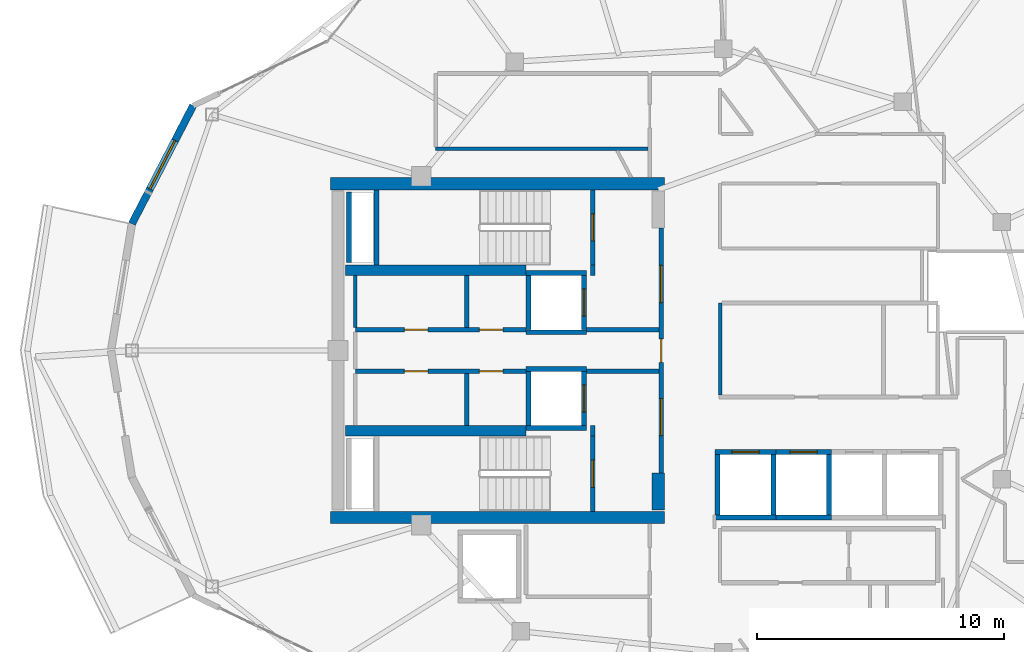
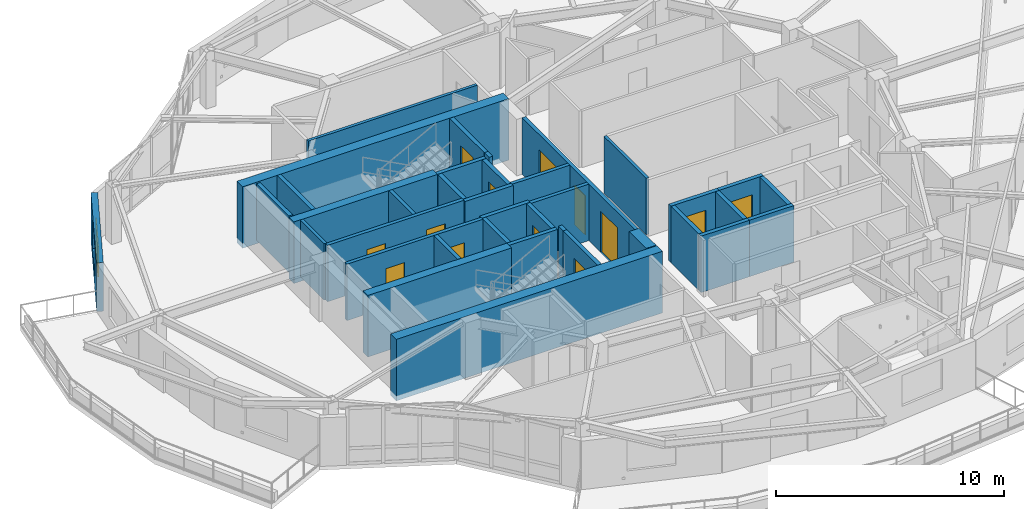
# One storey, part 8 of 19: 37 walls, 13 doors, 1 window, 14 openings.
"""IFC4 building model written with IfcOpenShell, lengths in metres."""

from ifc_helpers import new_model, si_unit, direction, frame, frame_2d, origin, place, context, subcontext, project, spatial, rectangle, extrude, material, layer, layer_set, type_object, element, fill, save


model = new_model("IFC4")

# Units and contexts
model_context = context("Model", 3, precision=1e-05, world=origin(), true_north=direction((0.0, 1.0)))
body_context = subcontext(model_context, "Body", "Model", "MODEL_VIEW")
ifc_project = project(units=[si_unit("LENGTHUNIT", "METRE"), si_unit("AREAUNIT", "SQUARE_METRE"), si_unit("VOLUMEUNIT", "CUBIC_METRE"), si_unit("PLANEANGLEUNIT", "RADIAN"), si_unit("MASSUNIT", "GRAM", prefix="KILO")], contexts=[model_context])

# Site, building, storey
site_placement = place(None, origin())
site = spatial("IfcSite", under=ifc_project, at=site_placement, CompositionType="ELEMENT")
building_placement = place(site_placement, origin())
building = spatial("IfcBuilding", under=site, at=building_placement, Name="Kolvaren Gate Tower and Convention Centre", CompositionType="ELEMENT")
storey_placement = place(building_placement, frame((0.0, 0.0, 212.89990234375)))
storey = spatial("IfcBuildingStorey", under=building, at=storey_placement, Name="L56", CompositionType="ELEMENT", Elevation=212.89990234375)

# Walls
ifc_material_1 = material(Name="Autoclaved Aerated Masonry Blockwork Class 4 (4.0 MPa)", Category="masonry")
ifc_layer_1 = layer(ifc_material_1, 0.179931640625)
ifc_layer_set_1 = layer_set([ifc_layer_1], Name="Autoclaved Aerated Masonry Blockwork Class 4 (4.0 MPa)")
wall_type_1 = type_object("IfcWallType", Name="ARCH-WL-COMP-180", PredefinedType="SOLIDWALL", material=ifc_layer_set_1)
for number, where, z_axis, x_axis, name in (
    (1, (24.85009765625, 23.5400390625, 0.0), (0.0, 0.0, 1.0), (0.0, 1.0, 0.0), "Interior Partition WL-L56-INT-001"),
    (2, (24.85009765625, 30.0400390625, 0.0), (0.0, 0.0, 1.0), (0.0, 1.0, 0.0), "Interior Partition WL-L56-INT-002"),
):
    element("IfcWall", number, at=place(storey_placement, frame(where, z_axis=z_axis, x_axis=x_axis)), inside=storey, type_object=wall_type_1, Name=name, PredefinedType="SOLIDWALL", context=body_context, shape_type="SweptSolid", body=[
        extrude(rectangle(XDim=0.419921875, YDim=0.179931640625, at=frame_2d((0.2099609375, 0.0))), origin(), (0.0, 0.0, 1.0), 3.030029296875),
    ])

# Wall, openings, doors
wall_1_placement = place(storey_placement, frame((27.6201171875, 22.050048828125, 0.0), z_axis=(0.0, 0.0, 1.0), x_axis=(0.0, 1.0, 0.0)))
wall_1 = element("IfcWall", 3, at=wall_1_placement, inside=storey, type_object=wall_type_1, Name="Interior Partition WL-L56-INT-003", PredefinedType="SOLIDWALL", context=body_context, shape_type="SweptSolid", body=[
    extrude(rectangle(XDim=9.89990234375, YDim=0.179931640625, at=frame_2d((4.949951171875, 0.0))), origin(), (0.0, 0.0, 1.0), 3.030029296875),
])
opening_1_placement = place(wall_1_placement, frame((4.47509765625, 0.0, 0.0)))
opening_1 = element("IfcOpeningElement", 4, at=opening_1_placement, cuts=wall_1, Name="Opening DR-01", PredefinedType="OPENING", context=body_context, shape_type="SweptSolid", body=[
    extrude(rectangle(XDim=0.949951171875, YDim=2.10009765625, at=frame_2d((0.47509765625, 1.050048828125))), frame((0.0, 0.099853515625, 0.0), z_axis=(0.0, -1.0, 0.0), x_axis=(1.0, 0.0, 0.0)), (0.0, 0.0, 1.0), 0.199951171875),
])
opening_2_placement = place(wall_1_placement, frame((6.889892578125, 0.0, 0.0)))
opening_2 = element("IfcOpeningElement", 5, at=opening_2_placement, cuts=wall_1, Name="Opening DL-01", PredefinedType="OPENING", context=body_context, shape_type="SweptSolid", body=[
    extrude(rectangle(XDim=1.5, YDim=2.199951171875, at=frame_2d((0.75, 1.10009765625))), frame((0.0, 0.099853515625, 0.0), z_axis=(0.0, -1.0, 0.0), x_axis=(1.0, 0.0, 0.0)), (0.0, 0.0, 1.0), 0.199951171875),
])
opening_3_placement = place(wall_1_placement, frame((1.510009765625, 0.0, 0.0)))
opening_3 = element("IfcOpeningElement", 6, at=opening_3_placement, cuts=wall_1, Name="Opening DL-01", PredefinedType="OPENING", context=body_context, shape_type="SweptSolid", body=[
    extrude(rectangle(XDim=1.5, YDim=2.199951171875, at=frame_2d((0.75, 1.10009765625))), frame((0.0, 0.099853515625, 0.0), z_axis=(0.0, -1.0, 0.0), x_axis=(1.0, 0.0, 0.0)), (0.0, 0.0, 1.0), 0.199951171875),
])
ifc_material_2 = material(Name="Painted Architectural Steelwork ASTM A500 Grade C 345 MPa", Category="steel")
door_type_1 = type_object("IfcDoorType", Name="ARCH-DR-LOBBY-1500", OperationType="DOUBLE_DOOR_SINGLE_SWING", PredefinedType="DOOR", material=ifc_material_2)
door_1_placement = place(opening_2_placement, origin())
door_1 = element("IfcDoor", 7, at=door_1_placement, inside=storey, type_object=door_type_1, Name="North Firefighting Stair and Lift Lobby Door", OperationType="DOUBLE_DOOR_SINGLE_SWING", OverallHeight=2.199951171875, OverallWidth=1.5, PredefinedType="DOOR", context=body_context, shape_type="SweptSolid", body=[
    extrude(rectangle(XDim=1.5, YDim=2.199951171875, at=frame_2d((0.75, 1.10009765625))), frame((0.0, 0.02490234375, 0.0), z_axis=(0.0, -1.0, 0.0), x_axis=(1.0, 0.0, 0.0)), (0.0, 0.0, 1.0), 0.050048828125),
])
fill(opening_2, door_1)
door_2_placement = place(opening_3_placement, origin())
door_2 = element("IfcDoor", 8, at=door_2_placement, inside=storey, type_object=door_type_1, Name="South Firefighting Stair and Lift Lobby Door", OperationType="DOUBLE_DOOR_SINGLE_SWING", OverallHeight=2.199951171875, OverallWidth=1.5, PredefinedType="DOOR", context=body_context, shape_type="SweptSolid", body=[
    extrude(rectangle(XDim=1.5, YDim=2.199951171875, at=frame_2d((0.75, 1.10009765625))), frame((0.0, 0.02490234375, 0.0), z_axis=(0.0, -1.0, 0.0), x_axis=(1.0, 0.0, 0.0)), (0.0, 0.0, 1.0), 0.050048828125),
])
fill(opening_3, door_2)
door_type_2 = type_object("IfcDoorType", Name="ARCH-DR-RISER-950", OperationType="SINGLE_SWING_RIGHT", PredefinedType="DOOR", material=ifc_material_2)
door_3_placement = place(opening_1_placement, origin())
door_3 = element("IfcDoor", 9, at=door_3_placement, inside=storey, type_object=door_type_2, Name="Central MEP Service Corridor Door", OperationType="SINGLE_SWING_RIGHT", OverallHeight=2.10009765625, OverallWidth=0.949951171875, PredefinedType="DOOR", context=body_context, shape_type="SweptSolid", body=[
    extrude(rectangle(XDim=0.949951171875, YDim=2.10009765625, at=frame_2d((0.47509765625, 1.050048828125))), frame((0.0, 0.02490234375, 0.0), z_axis=(0.0, -1.0, 0.0), x_axis=(1.0, 0.0, 0.0)), (0.0, 0.0, 1.0), 0.050048828125),
])
fill(opening_1, door_3)

wall_2_placement = place(storey_placement, frame((15.25, 27.840087890625, 0.0), z_axis=(0.0, 0.0, 1.0), x_axis=(1.0, 0.0, 0.0)))
wall_2 = element("IfcWall", 10, at=wall_2_placement, inside=storey, type_object=wall_type_1, Name="Interior Partition WL-L56-INT-004", PredefinedType="SOLIDWALL", context=body_context, shape_type="SweptSolid", body=[
    extrude(rectangle(XDim=6.89990234375, YDim=0.179931640625, at=frame_2d((3.449951171875, 0.0))), origin(), (0.0, 0.0, 1.0), 3.030029296875),
])
opening_4_placement = place(wall_2_placement, frame((5.02001953125, 0.0, 0.0)))
opening_4 = element("IfcOpeningElement", 11, at=opening_4_placement, cuts=wall_2, Name="Opening DR-01", PredefinedType="OPENING", context=body_context, shape_type="SweptSolid", body=[
    extrude(rectangle(XDim=0.949951171875, YDim=2.10009765625, at=frame_2d((0.47509765625, 1.050048828125))), frame((0.0, 0.099853515625, 0.0), z_axis=(0.0, -1.0, 0.0), x_axis=(1.0, 0.0, 0.0)), (0.0, 0.0, 1.0), 0.199951171875),
])
opening_5_placement = place(wall_2_placement, frame((1.97998046875, 0.0, 0.0)))
opening_5 = element("IfcOpeningElement", 12, at=opening_5_placement, cuts=wall_2, Name="Opening DR-01", PredefinedType="OPENING", context=body_context, shape_type="SweptSolid", body=[
    extrude(rectangle(XDim=0.949951171875, YDim=2.10009765625, at=frame_2d((0.47509765625, 1.050048828125))), frame((0.0, 0.099853515625, 0.0), z_axis=(0.0, -1.0, 0.0), x_axis=(1.0, 0.0, 0.0)), (0.0, 0.0, 1.0), 0.199951171875),
])
door_4_placement = place(opening_4_placement, origin())
door_4 = element("IfcDoor", 13, at=door_4_placement, inside=storey, type_object=door_type_2, Name="Electrical Switchgear Closet Door", OperationType="SINGLE_SWING_LEFT", OverallHeight=2.10009765625, OverallWidth=0.949951171875, PredefinedType="DOOR", context=body_context, shape_type="SweptSolid", body=[
    extrude(rectangle(XDim=0.949951171875, YDim=2.10009765625, at=frame_2d((0.47509765625, 1.050048828125))), frame((0.0, 0.02490234375, 0.0), z_axis=(0.0, -1.0, 0.0), x_axis=(1.0, 0.0, 0.0)), (0.0, 0.0, 1.0), 0.050048828125),
])
fill(opening_4, door_4)
door_5_placement = place(opening_5_placement, origin())
door_5 = element("IfcDoor", 14, at=door_5_placement, inside=storey, type_object=door_type_2, Name="Staff Powder Washroom Door", OperationType="SINGLE_SWING_LEFT", OverallHeight=2.10009765625, OverallWidth=0.949951171875, PredefinedType="DOOR", context=body_context, shape_type="SweptSolid", body=[
    extrude(rectangle(XDim=0.949951171875, YDim=2.10009765625, at=frame_2d((0.47509765625, 1.050048828125))), frame((0.0, 0.02490234375, 0.0), z_axis=(0.0, -1.0, 0.0), x_axis=(1.0, 0.0, 0.0)), (0.0, 0.0, 1.0), 0.050048828125),
])
fill(opening_5, door_5)

# Wall
wall_3_placement = place(storey_placement, frame((24.60009765625, 27.840087890625, 0.0), z_axis=(0.0, 0.0, 1.0), x_axis=(1.0, 0.0, 0.0)))
element("IfcWall", 15, at=wall_3_placement, inside=storey, type_object=wall_type_1, Name="Interior Partition WL-L56-INT-004 (2)", PredefinedType="SOLIDWALL", context=body_context, shape_type="SweptSolid", body=[
    extrude(rectangle(XDim=2.927978515625, YDim=0.179931640625, at=frame_2d((1.4638671875, 0.0))), origin(), (0.0, 0.0, 1.0), 3.030029296875),
])

# Wall, openings, doors
wall_4_placement = place(storey_placement, frame((15.25, 26.159912109375, 0.0), z_axis=(0.0, 0.0, 1.0), x_axis=(1.0, 0.0, 0.0)))
wall_4 = element("IfcWall", 16, at=wall_4_placement, inside=storey, type_object=wall_type_1, Name="Interior Partition WL-L56-INT-005", PredefinedType="SOLIDWALL", context=body_context, shape_type="SweptSolid", body=[
    extrude(rectangle(XDim=6.89990234375, YDim=0.179931640625, at=frame_2d((3.449951171875, 0.0))), origin(), (0.0, 0.0, 1.0), 3.030029296875),
])
opening_6_placement = place(wall_4_placement, frame((5.02001953125, 0.0, 0.0)))
opening_6 = element("IfcOpeningElement", 17, at=opening_6_placement, cuts=wall_4, Name="Opening DR-01", PredefinedType="OPENING", context=body_context, shape_type="SweptSolid", body=[
    extrude(rectangle(XDim=0.949951171875, YDim=2.10009765625, at=frame_2d((0.47509765625, 1.050048828125))), frame((0.0, 0.099853515625, 0.0), z_axis=(0.0, -1.0, 0.0), x_axis=(1.0, 0.0, 0.0)), (0.0, 0.0, 1.0), 0.199951171875),
])
opening_7_placement = place(wall_4_placement, frame((1.97998046875, 0.0, 0.0)))
opening_7 = element("IfcOpeningElement", 18, at=opening_7_placement, cuts=wall_4, Name="Opening DR-01", PredefinedType="OPENING", context=body_context, shape_type="SweptSolid", body=[
    extrude(rectangle(XDim=0.949951171875, YDim=2.10009765625, at=frame_2d((0.47509765625, 1.050048828125))), frame((0.0, 0.099853515625, 0.0), z_axis=(0.0, -1.0, 0.0), x_axis=(1.0, 0.0, 0.0)), (0.0, 0.0, 1.0), 0.199951171875),
])
door_6_placement = place(opening_6_placement, origin())
door_6 = element("IfcDoor", 19, at=door_6_placement, inside=storey, type_object=door_type_2, Name="Domestic Water Meter Closet Door", OperationType="SINGLE_SWING_RIGHT", OverallHeight=2.10009765625, OverallWidth=0.949951171875, PredefinedType="DOOR", context=body_context, shape_type="SweptSolid", body=[
    extrude(rectangle(XDim=0.949951171875, YDim=2.10009765625, at=frame_2d((0.47509765625, 1.050048828125))), frame((0.0, 0.02490234375, 0.0), z_axis=(0.0, -1.0, 0.0), x_axis=(1.0, 0.0, 0.0)), (0.0, 0.0, 1.0), 0.050048828125),
])
fill(opening_6, door_6)
door_7_placement = place(opening_7_placement, origin())
door_7 = element("IfcDoor", 20, at=door_7_placement, inside=storey, type_object=door_type_2, Name="Janitor Equipment Store Door", OperationType="SINGLE_SWING_RIGHT", OverallHeight=2.10009765625, OverallWidth=0.949951171875, PredefinedType="DOOR", context=body_context, shape_type="SweptSolid", body=[
    extrude(rectangle(XDim=0.949951171875, YDim=2.10009765625, at=frame_2d((0.47509765625, 1.050048828125))), frame((0.0, 0.02490234375, 0.0), z_axis=(0.0, -1.0, 0.0), x_axis=(1.0, 0.0, 0.0)), (0.0, 0.0, 1.0), 0.050048828125),
])
fill(opening_7, door_7)

# Walls
wall_5_placement = place(storey_placement, frame((24.60009765625, 26.159912109375, 0.0), z_axis=(0.0, 0.0, 1.0), x_axis=(1.0, 0.0, 0.0)))
element("IfcWall", 21, at=wall_5_placement, inside=storey, type_object=wall_type_1, Name="Interior Partition WL-L56-INT-005 (2)", PredefinedType="SOLIDWALL", context=body_context, shape_type="SweptSolid", body=[
    extrude(rectangle(XDim=2.927978515625, YDim=0.179931640625, at=frame_2d((1.4638671875, 0.0))), origin(), (0.0, 0.0, 1.0), 3.030029296875),
])
for number, where, z_axis, x_axis, name in (
    (22, (19.75, 23.9619140625, 0.0), (0.0, 0.0, 1.0), (0.0, 1.0, 0.0), "Interior Partition WL-L56-INT-007"),
    (23, (19.75, 27.931884765625, 0.0), (0.0, 0.0, 1.0), (0.0, 1.0, 0.0), "Interior Partition WL-L56-INT-008"),
):
    element("IfcWall", number, at=place(storey_placement, frame(where, z_axis=z_axis, x_axis=x_axis)), inside=storey, type_object=wall_type_1, Name=name, PredefinedType="SOLIDWALL", context=body_context, shape_type="SweptSolid", body=[
        extrude(rectangle(XDim=2.106201171875, YDim=0.179931640625, at=frame_2d((1.05322265625, 0.0))), origin(), (0.0, 0.0, 1.0), 3.030029296875),
    ])
ifc_layer_2 = layer(ifc_material_1, 0.199951171875)
ifc_layer_set_2 = layer_set([ifc_layer_2], Name="Autoclaved Aerated Masonry Blockwork Class 4 (4.0 MPa)")
wall_type_2 = type_object("IfcWallType", Name="ARCH-WL-SHAFT-200", PredefinedType="SOLIDWALL", material=ifc_layer_set_2)
for number, where, z_axis, x_axis, name in (
    (24, (22.14990234375, 30.139892578125, 0.0), (0.0, 0.0, 1.0), (1.0, 0.0, 0.0), "Elevator FF-01 L56 Fire Shaft Wall N"),
    (25, (22.14990234375, 27.739990234375, 0.0), (0.0, 0.0, 1.0), (1.0, 0.0, 0.0), "Elevator FF-01 L56 Fire Shaft Wall S"),
):
    element("IfcWall", number, at=place(storey_placement, frame(where, z_axis=z_axis, x_axis=x_axis)), inside=storey, type_object=wall_type_2, Name=name, PredefinedType="SOLIDWALL", context=body_context, shape_type="SweptSolid", body=[
        extrude(rectangle(XDim=2.4501953125, YDim=0.199951171875, at=frame_2d((1.22509765625, 0.0))), origin(), (0.0, 0.0, 1.0), 3.030029296875),
    ])
wall_6_placement = place(storey_placement, frame((22.25, 27.85009765625, 0.0), z_axis=(0.0, 0.0, 1.0), x_axis=(0.0, 1.0, 0.0)))
element("IfcWall", 26, at=wall_6_placement, inside=storey, type_object=wall_type_2, Name="Elevator FF-01 L56 Fire Shaft Wall W", PredefinedType="SOLIDWALL", context=body_context, shape_type="SweptSolid", body=[
    extrude(rectangle(XDim=2.179931640625, YDim=0.199951171875, at=frame_2d((1.08984375, 0.0))), origin(), (0.0, 0.0, 1.0), 3.030029296875),
])

# Wall, opening, door
wall_7_placement = place(storey_placement, frame((24.5, 27.85009765625, 0.0), z_axis=(0.0, 0.0, 1.0), x_axis=(0.0, 1.0, 0.0)))
wall_7 = element("IfcWall", 27, at=wall_7_placement, inside=storey, type_object=wall_type_2, Name="Elevator FF-01 L56 Fire Shaft Wall E", PredefinedType="SOLIDWALL", context=body_context, shape_type="SweptSolid", body=[
    extrude(rectangle(XDim=2.179931640625, YDim=0.199951171875, at=frame_2d((1.08984375, 0.0))), origin(), (0.0, 0.0, 1.0), 3.030029296875),
])
opening_8_placement = place(wall_7_placement, frame((0.5400390625, 0.0, 0.0)))
opening_8 = element("IfcOpeningElement", 28, at=opening_8_placement, cuts=wall_7, Name="Opening LD", PredefinedType="OPENING", context=body_context, shape_type="SweptSolid", body=[
    extrude(rectangle(XDim=1.10009765625, YDim=2.199951171875, at=frame_2d((0.550048828125, 1.10009765625))), frame((0.0, 0.10986328125, 0.0), z_axis=(0.0, -1.0, 0.0), x_axis=(1.0, 0.0, 0.0)), (0.0, 0.0, 1.0), 0.219970703125),
])
ifc_material_3 = material(Name="Brushed Stainless Steel Grade 316L", Category="steel")
door_type_3 = type_object("IfcDoorType", Name="ARCH-DR-LIFT-1100", OperationType="SLIDING_TO_LEFT", PredefinedType="DOOR", material=ifc_material_3)
door_8_placement = place(opening_8_placement, origin())
door_8 = element("IfcDoor", 29, at=door_8_placement, inside=storey, type_object=door_type_3, Name="Elevator FF-01 L56 Sliding Landing Door", OperationType="SLIDING_TO_LEFT", OverallHeight=2.199951171875, OverallWidth=1.10009765625, PredefinedType="DOOR", context=body_context, shape_type="SweptSolid", body=[
    extrude(rectangle(XDim=1.10009765625, YDim=2.199951171875, at=frame_2d((0.550048828125, 1.10009765625))), frame((0.0, 0.02490234375, 0.0), z_axis=(0.0, -1.0, 0.0), x_axis=(1.0, 0.0, 0.0)), (0.0, 0.0, 1.0), 0.050048828125),
])
fill(opening_8, door_8)

# Walls
for number, where, z_axis, x_axis, name in (
    (30, (22.14990234375, 26.260009765625, 0.0), (0.0, 0.0, 1.0), (1.0, 0.0, 0.0), "Elevator FF-02 L56 Fire Shaft Wall N"),
    (31, (22.14990234375, 23.860107421875, 0.0), (0.0, 0.0, 1.0), (1.0, 0.0, 0.0), "Elevator FF-02 L56 Fire Shaft Wall S"),
):
    element("IfcWall", number, at=place(storey_placement, frame(where, z_axis=z_axis, x_axis=x_axis)), inside=storey, type_object=wall_type_2, Name=name, PredefinedType="SOLIDWALL", context=body_context, shape_type="SweptSolid", body=[
        extrude(rectangle(XDim=2.4501953125, YDim=0.199951171875, at=frame_2d((1.22509765625, 0.0))), origin(), (0.0, 0.0, 1.0), 3.030029296875),
    ])
wall_8_placement = place(storey_placement, frame((22.25, 23.969970703125, 0.0), z_axis=(0.0, 0.0, 1.0), x_axis=(0.0, 1.0, 0.0)))
element("IfcWall", 32, at=wall_8_placement, inside=storey, type_object=wall_type_2, Name="Elevator FF-02 L56 Fire Shaft Wall W", PredefinedType="SOLIDWALL", context=body_context, shape_type="SweptSolid", body=[
    extrude(rectangle(XDim=2.179931640625, YDim=0.199951171875, at=frame_2d((1.08984375, 0.0))), origin(), (0.0, 0.0, 1.0), 3.030029296875),
])

# Wall, opening, door
wall_9_placement = place(storey_placement, frame((24.5, 23.969970703125, 0.0), z_axis=(0.0, 0.0, 1.0), x_axis=(0.0, 1.0, 0.0)))
wall_9 = element("IfcWall", 33, at=wall_9_placement, inside=storey, type_object=wall_type_2, Name="Elevator FF-02 L56 Fire Shaft Wall E", PredefinedType="SOLIDWALL", context=body_context, shape_type="SweptSolid", body=[
    extrude(rectangle(XDim=2.179931640625, YDim=0.199951171875, at=frame_2d((1.08984375, 0.0))), origin(), (0.0, 0.0, 1.0), 3.030029296875),
])
opening_9_placement = place(wall_9_placement, frame((0.5400390625, 0.0, 0.0)))
opening_9 = element("IfcOpeningElement", 34, at=opening_9_placement, cuts=wall_9, Name="Opening LD", PredefinedType="OPENING", context=body_context, shape_type="SweptSolid", body=[
    extrude(rectangle(XDim=1.10009765625, YDim=2.199951171875, at=frame_2d((0.550048828125, 1.10009765625))), frame((0.0, 0.10986328125, 0.0), z_axis=(0.0, -1.0, 0.0), x_axis=(1.0, 0.0, 0.0)), (0.0, 0.0, 1.0), 0.219970703125),
])
door_9_placement = place(opening_9_placement, origin())
door_9 = element("IfcDoor", 35, at=door_9_placement, inside=storey, type_object=door_type_3, Name="Elevator FF-02 L56 Sliding Landing Door", OperationType="SLIDING_TO_LEFT", OverallHeight=2.199951171875, OverallWidth=1.10009765625, PredefinedType="DOOR", context=body_context, shape_type="SweptSolid", body=[
    extrude(rectangle(XDim=1.10009765625, YDim=2.199951171875, at=frame_2d((0.550048828125, 1.10009765625))), frame((0.0, 0.02490234375, 0.0), z_axis=(0.0, -1.0, 0.0), x_axis=(1.0, 0.0, 0.0)), (0.0, 0.0, 1.0), 0.050048828125),
])
fill(opening_9, door_9)

wall_10_placement = place(storey_placement, frame((29.800048828125, 22.89990234375, 0.0), z_axis=(0.0, 0.0, 1.0), x_axis=(1.0, 0.0, 0.0)))
wall_10 = element("IfcWall", 36, at=wall_10_placement, inside=storey, type_object=wall_type_2, Name="Elevator PL-09 L56 Fire Shaft Wall N", PredefinedType="SOLIDWALL", context=body_context, shape_type="SweptSolid", body=[
    extrude(rectangle(XDim=2.449951171875, YDim=0.199951171875, at=frame_2d((1.22509765625, 0.0))), origin(), (0.0, 0.0, 1.0), 3.030029296875),
])
opening_10_placement = place(wall_10_placement, frame((0.675048828125, 0.0, 0.0)))
opening_10 = element("IfcOpeningElement", 37, at=opening_10_placement, cuts=wall_10, Name="Opening LD", PredefinedType="OPENING", context=body_context, shape_type="SweptSolid", body=[
    extrude(rectangle(XDim=1.10009765625, YDim=2.199951171875, at=frame_2d((0.550048828125, 1.10009765625))), frame((0.0, 0.10986328125, 0.0), z_axis=(0.0, -1.0, 0.0), x_axis=(1.0, 0.0, 0.0)), (0.0, 0.0, 1.0), 0.219970703125),
])
door_10_placement = place(opening_10_placement, origin())
door_10 = element("IfcDoor", 38, at=door_10_placement, inside=storey, type_object=door_type_3, Name="Elevator PL-09 L56 Sliding Landing Door", OperationType="SLIDING_TO_LEFT", OverallHeight=2.199951171875, OverallWidth=1.10009765625, PredefinedType="DOOR", context=body_context, shape_type="SweptSolid", body=[
    extrude(rectangle(XDim=1.10009765625, YDim=2.199951171875, at=frame_2d((0.550048828125, 1.10009765625))), frame((0.0, 0.02490234375, 0.0), z_axis=(0.0, -1.0, 0.0), x_axis=(1.0, 0.0, 0.0)), (0.0, 0.0, 1.0), 0.050048828125),
])
fill(opening_10, door_10)

# Walls
wall_11_placement = place(storey_placement, frame((29.800048828125, 20.25, 0.0), z_axis=(0.0, 0.0, 1.0), x_axis=(1.0, 0.0, 0.0)))
element("IfcWall", 39, at=wall_11_placement, inside=storey, type_object=wall_type_2, Name="Elevator PL-09 L56 Fire Shaft Wall S", PredefinedType="SOLIDWALL", context=body_context, shape_type="SweptSolid", body=[
    extrude(rectangle(XDim=2.449951171875, YDim=0.199951171875, at=frame_2d((1.22509765625, 0.0))), origin(), (0.0, 0.0, 1.0), 3.030029296875),
])
for number, where, z_axis, x_axis, name in (
    (40, (29.89990234375, 20.360107421875, 0.0), (0.0, 0.0, 1.0), (0.0, 1.0, 0.0), "Elevator PL-09 L56 Fire Shaft Wall W"),
    (41, (32.14990234375, 20.360107421875, 0.0), (0.0, 0.0, 1.0), (0.0, 1.0, 0.0), "Elevator PL-09 L56 Fire Shaft Wall E"),
):
    element("IfcWall", number, at=place(storey_placement, frame(where, z_axis=z_axis, x_axis=x_axis)), inside=storey, type_object=wall_type_2, Name=name, PredefinedType="SOLIDWALL", context=body_context, shape_type="SweptSolid", body=[
        extrude(rectangle(XDim=2.429931640625, YDim=0.199951171875, at=frame_2d((1.21484375, 0.0))), origin(), (0.0, 0.0, 1.0), 3.030029296875),
    ])

# Wall, opening, door
wall_12_placement = place(storey_placement, frame((32.25, 22.89990234375, 0.0), z_axis=(0.0, 0.0, 1.0), x_axis=(1.0, 0.0, 0.0)))
wall_12 = element("IfcWall", 42, at=wall_12_placement, inside=storey, type_object=wall_type_2, Name="Elevator PL-10 L56 Fire Shaft Wall N", PredefinedType="SOLIDWALL", context=body_context, shape_type="SweptSolid", body=[
    extrude(rectangle(XDim=2.25, YDim=0.199951171875, at=frame_2d((1.125, 0.0))), origin(), (0.0, 0.0, 1.0), 3.030029296875),
])
opening_11_placement = place(wall_12_placement, frame((0.574951171875, 0.0, 0.0)))
opening_11 = element("IfcOpeningElement", 43, at=opening_11_placement, cuts=wall_12, Name="Opening LD", PredefinedType="OPENING", context=body_context, shape_type="SweptSolid", body=[
    extrude(rectangle(XDim=1.10009765625, YDim=2.199951171875, at=frame_2d((0.550048828125, 1.10009765625))), frame((0.0, 0.10986328125, 0.0), z_axis=(0.0, -1.0, 0.0), x_axis=(1.0, 0.0, 0.0)), (0.0, 0.0, 1.0), 0.219970703125),
])
door_11_placement = place(opening_11_placement, origin())
door_11 = element("IfcDoor", 44, at=door_11_placement, inside=storey, type_object=door_type_3, Name="Elevator PL-10 L56 Sliding Landing Door", OperationType="SLIDING_TO_LEFT", OverallHeight=2.199951171875, OverallWidth=1.10009765625, PredefinedType="DOOR", context=body_context, shape_type="SweptSolid", body=[
    extrude(rectangle(XDim=1.10009765625, YDim=2.199951171875, at=frame_2d((0.550048828125, 1.10009765625))), frame((0.0, 0.02490234375, 0.0), z_axis=(0.0, -1.0, 0.0), x_axis=(1.0, 0.0, 0.0)), (0.0, 0.0, 1.0), 0.050048828125),
])
fill(opening_11, door_11)

# Walls
wall_13_placement = place(storey_placement, frame((32.25, 20.25, 0.0), z_axis=(0.0, 0.0, 1.0), x_axis=(1.0, 0.0, 0.0)))
element("IfcWall", 45, at=wall_13_placement, inside=storey, type_object=wall_type_2, Name="Elevator PL-10 L56 Fire Shaft Wall S", PredefinedType="SOLIDWALL", context=body_context, shape_type="SweptSolid", body=[
    extrude(rectangle(XDim=2.25, YDim=0.199951171875, at=frame_2d((1.125, 0.0))), origin(), (0.0, 0.0, 1.0), 3.030029296875),
])
wall_14_placement = place(storey_placement, frame((34.39990234375, 20.360107421875, 0.0), z_axis=(0.0, 0.0, 1.0), x_axis=(0.0, 1.0, 0.0)))
element("IfcWall", 46, at=wall_14_placement, inside=storey, type_object=wall_type_2, Name="Elevator PL-10 L56 Fire Shaft Wall E", PredefinedType="SOLIDWALL", context=body_context, shape_type="SweptSolid", body=[
    extrude(rectangle(XDim=2.429931640625, YDim=0.199951171875, at=frame_2d((1.21484375, 0.0))), origin(), (0.0, 0.0, 1.0), 3.030029296875),
])
wall_15_placement = place(storey_placement, frame((14.989990234375, 30.550048828125, 0.0), z_axis=(0.0, 0.0, 1.0), x_axis=(0.0, 1.0, 0.0)))
element("IfcWall", 47, at=wall_15_placement, inside=storey, type_object=wall_type_2, Name="Vertical Shaft HVR L56 EI-120 Enclosure Wall W", PredefinedType="SOLIDWALL", context=body_context, shape_type="SweptSolid", body=[
    extrude(rectangle(XDim=2.849853515625, YDim=0.199951171875, at=frame_2d((1.4248046875, 0.0))), origin(), (0.0, 0.0, 1.0), 3.030029296875),
])

# Wall, opening, window
ifc_material_4 = material(Name="Piedmont Cream Honed Limestone Cladding", Category="masonry")
ifc_layer_3 = layer(ifc_material_4, 0.300048828125)
ifc_layer_set_3 = layer_set([ifc_layer_3], Name="Piedmont Cream Honed Limestone Cladding")
wall_type_3 = type_object("IfcWallType", Name="ARCH-WL-STONE-300", PredefinedType="SOLIDWALL", material=ifc_layer_set_3)
wall_16_placement = place(storey_placement, frame((6.21826171875, 32.12451171875, 0.0), z_axis=(0.0, 0.0, 1.0), x_axis=(0.459808219482, 0.888018243786, 0.0)))
wall_16 = element("IfcWall", 48, at=wall_16_placement, inside=storey, type_object=wall_type_3, Name="Tower L56 Honed Stone Spandrel Wall EW-10", PredefinedType="SOLIDWALL", context=body_context, shape_type="SweptSolid", body=[
    extrude(rectangle(XDim=5.377685546875, YDim=0.300048828125, at=frame_2d((2.68896484375, 0.0))), origin(), (0.0, 0.0, 1.0), 2.60498046875),
])
opening_12_placement = place(wall_16_placement, frame((1.589111328125, 0.0, 0.719970703125)))
opening_12 = element("IfcOpeningElement", 49, at=opening_12_placement, cuts=wall_16, Name="Opening W-03", PredefinedType="OPENING", context=body_context, shape_type="SweptSolid", body=[
    extrude(rectangle(XDim=2.199951171875, YDim=1.64990234375, at=frame_2d((1.10009765625, 0.824951171875))), frame((0.0, 0.159912109375, 0.0), z_axis=(0.0, -1.0, 0.0), x_axis=(1.0, 0.0, 0.0)), (0.0, 0.0, 1.0), 0.320068359375),
])
ifc_material_5 = material(Name="Low-E Triple Insulated Glazing Unit 44 mm", Category="glass")
window_type = type_object("IfcWindowType", Name="ARCH-WN-RES-2200", PartitioningType="SINGLE_PANEL", PredefinedType="WINDOW", material=ifc_material_5)
window_placement = place(opening_12_placement, origin())
window = element("IfcWindow", 50, at=window_placement, inside=storey, type_object=window_type, Name="Tower L56 Punched Stone Facade Window W-10", OverallHeight=1.64990234375, OverallWidth=2.199951171875, PartitioningType="SINGLE_PANEL", PredefinedType="WINDOW", context=body_context, shape_type="SweptSolid", body=[
    extrude(rectangle(XDim=2.199951171875, YDim=1.64990234375, at=frame_2d((1.10009765625, 0.824951171875))), frame((0.0, 0.030029296875, 0.0), z_axis=(0.0, -1.0, 0.0), x_axis=(1.0, 0.0, 0.0)), (0.0, 0.0, 1.0), 0.06005859375),
])
fill(opening_12, window)

# Walls
ifc_material_6 = material(Name="Moisture-Resistant Cement-Board Acoustic Partition", Category="gypsum")
ifc_layer_4 = layer(ifc_material_6, 0.14990234375)
ifc_layer_set_4 = layer_set([ifc_layer_4], Name="Moisture-Resistant Cement-Board Acoustic Partition")
wall_type_4 = type_object("IfcWallType", Name="ARCH-WL-WET-150", PredefinedType="PARTITIONING", material=ifc_layer_set_4)
wall_17_placement = place(storey_placement, frame((15.25, 27.931884765625, 0.0), z_axis=(0.0, 0.0, 1.0), x_axis=(0.0, 1.0, 0.0)))
element("IfcWall", 51, at=wall_17_placement, inside=storey, type_object=wall_type_4, Name="Interior Partition WL-L56-INT-006 (3)", PredefinedType="PARTITIONING", context=body_context, shape_type="SweptSolid", body=[
    extrude(rectangle(XDim=2.106201171875, YDim=0.14990234375, at=frame_2d((1.05322265625, 0.0))), origin(), (0.0, 0.0, 1.0), 3.030029296875),
])
wall_18_placement = place(storey_placement, frame((30.0, 25.197021484375, 0.0), z_axis=(0.0, 0.0, 1.0), x_axis=(0.0, 1.0, 0.0)))
element("IfcWall", 52, at=wall_18_placement, inside=storey, type_object=wall_type_4, Name="Interior Partition WL-L56-INT-015", PredefinedType="PARTITIONING", context=body_context, shape_type="SweptSolid", body=[
    extrude(rectangle(XDim=3.722900390625, YDim=0.14990234375, at=frame_2d((1.861328125, 0.0))), origin(), (0.0, 0.0, 1.0), 3.030029296875),
])
wall_19_placement = place(storey_placement, frame((18.5, 35.159912109375, 0.0), z_axis=(0.0, 0.0, 1.0), x_axis=(1.0, 0.0, 0.0)))
element("IfcWall", 53, at=wall_19_placement, inside=storey, type_object=wall_type_4, Name="Interior Partition WL-L56-INT-028", PredefinedType="PARTITIONING", context=body_context, shape_type="SweptSolid", body=[
    extrude(rectangle(XDim=8.572998046875, YDim=0.14990234375, at=frame_2d((4.28662109375, 0.0))), origin(), (0.0, 0.0, 1.0), 3.030029296875),
])
ifc_material_7 = material(Name="Concrete C50/60", Category="concrete")
ifc_layer_5 = layer(ifc_material_7, 0.419921875)
ifc_layer_set_5 = layer_set([ifc_layer_5], Name="Concrete C50/60")
wall_type_5 = type_object("IfcWallType", Name="STR-WL-CONV-420", PredefinedType="SHEAR", material=ifc_layer_set_5)
for number, where, z_axis, x_axis, name in (
    (54, (14.85009765625, 30.25, -0.27001953125), (0.0, 0.0, 1.0), (1.0, 0.0, 0.0), "Tower L56 Offset Core Shear Wall WN"),
    (55, (14.85009765625, 23.75, -0.27001953125), (0.0, 0.0, 1.0), (1.0, 0.0, 0.0), "Tower L56 Offset Core Shear Wall WS"),
):
    element("IfcWall", number, at=place(storey_placement, frame(where, z_axis=z_axis, x_axis=x_axis)), inside=storey, type_object=wall_type_5, Name=name, PredefinedType="SHEAR", context=body_context, shape_type="SweptSolid", body=[
        extrude(rectangle(XDim=7.2998046875, YDim=0.419921875, at=frame_2d((3.64990234375, 0.0))), origin(), (0.0, 0.0, 1.0), 3.300048828125),
    ])
ifc_layer_6 = layer(ifc_material_7, 0.5)
ifc_layer_set_6 = layer_set([ifc_layer_6], Name="Concrete C50/60")
wall_type_6 = type_object("IfcWallType", Name="STR-WL-CORE-500", PredefinedType="SHEAR", material=ifc_layer_set_6)
for number, where, z_axis, x_axis, name in (
    (56, (14.25, 33.75, -0.27001953125), (0.0, 0.0, 1.0), (1.0, 0.0, 0.0), "Tower L56 Offset Core Shear Wall N"),
    (57, (14.25, 20.25, -0.27001953125), (0.0, 0.0, 1.0), (1.0, 0.0, 0.0), "Tower L56 Offset Core Shear Wall S"),
):
    element("IfcWall", number, at=place(storey_placement, frame(where, z_axis=z_axis, x_axis=x_axis)), inside=storey, type_object=wall_type_6, Name=name, PredefinedType="SHEAR", context=body_context, shape_type="SweptSolid", body=[
        extrude(rectangle(XDim=13.5, YDim=0.5, at=frame_2d((6.75, 0.0))), origin(), (0.0, 0.0, 1.0), 3.300048828125),
    ])
wall_20_placement = place(storey_placement, frame((27.5, 20.550048828125, -0.27001953125), z_axis=(0.0, 0.0, 1.0), x_axis=(0.0, 1.0, 0.0)))
element("IfcWall", 58, at=wall_20_placement, inside=storey, type_object=wall_type_6, Name="Tower L56 Offset Core Shear Wall ES", PredefinedType="SHEAR", context=body_context, shape_type="SweptSolid", body=[
    extrude(rectangle(XDim=1.5, YDim=0.5, at=frame_2d((0.75, 0.0))), origin(), (0.0, 0.0, 1.0), 3.300048828125),
])

# Wall, opening, door
ifc_layer_7 = layer(ifc_material_7, 0.199951171875)
ifc_layer_set_7 = layer_set([ifc_layer_7], Name="Concrete C50/60")
wall_type_7 = type_object("IfcWallType", Name="STR-WL-SHAFT-200", PredefinedType="SHEAR", material=ifc_layer_set_7)
wall_21_placement = place(storey_placement, frame((24.85009765625, 30.4599609375, -0.27001953125), z_axis=(0.0, 0.0, 1.0), x_axis=(0.0, 1.0, 0.0)))
wall_21 = element("IfcWall", 59, at=wall_21_placement, inside=storey, type_object=wall_type_7, Name="Tower North Exit Stair ST-T1 L56 Structural Shear Enclosure Wall NEAR", PredefinedType="SHEAR", context=body_context, shape_type="SweptSolid", body=[
    extrude(rectangle(XDim=3.0380859375, YDim=0.199951171875, at=frame_2d((1.51904296875, 0.0))), origin(), (0.0, 0.0, 1.0), 3.300048828125),
])
opening_13_placement = place(wall_21_placement, frame((0.968994140625, 0.0, 0.27001953125)))
opening_13 = element("IfcOpeningElement", 60, at=opening_13_placement, cuts=wall_21, Name="Opening DS-01", PredefinedType="OPENING", context=body_context, shape_type="SweptSolid", body=[
    extrude(rectangle(XDim=1.10009765625, YDim=2.14990234375, at=frame_2d((0.550048828125, 1.074951171875))), frame((0.0, 0.10986328125, 0.0), z_axis=(0.0, -1.0, 0.0), x_axis=(1.0, 0.0, 0.0)), (0.0, 0.0, 1.0), 0.219970703125),
])
door_type_4 = type_object("IfcDoorType", Name="ARCH-DR-STAIR-1100", OperationType="SINGLE_SWING_LEFT", PredefinedType="DOOR", material=ifc_material_2)
door_12_placement = place(opening_13_placement, origin())
door_12 = element("IfcDoor", 61, at=door_12_placement, inside=storey, type_object=door_type_4, Name="Tower North Exit Stair ST-T1 L56 Fire Exit Stair Door", OperationType="SINGLE_SWING_RIGHT", OverallHeight=2.14990234375, OverallWidth=1.10009765625, PredefinedType="DOOR", context=body_context, shape_type="SweptSolid", body=[
    extrude(rectangle(XDim=1.10009765625, YDim=2.14990234375, at=frame_2d((0.550048828125, 1.074951171875))), frame((0.0, 0.02490234375, 0.0), z_axis=(0.0, -1.0, 0.0), x_axis=(1.0, 0.0, 0.0)), (0.0, 0.0, 1.0), 0.050048828125),
])
fill(opening_13, door_12)

# Wall
wall_22_placement = place(storey_placement, frame((16.10009765625, 30.4619140625, -0.27001953125), z_axis=(0.0, 0.0, 1.0), x_axis=(0.0, 1.0, 0.0)))
element("IfcWall", 62, at=wall_22_placement, inside=storey, type_object=wall_type_7, Name="Tower North Exit Stair ST-T1 L56 Structural Shear Enclosure Wall FAR", PredefinedType="SHEAR", context=body_context, shape_type="SweptSolid", body=[
    extrude(rectangle(XDim=3.0361328125, YDim=0.199951171875, at=frame_2d((1.51806640625, 0.0))), origin(), (0.0, 0.0, 1.0), 3.300048828125),
])

# Wall, opening, door
wall_23_placement = place(storey_placement, frame((24.85009765625, 20.501953125, -0.27001953125), z_axis=(0.0, 0.0, 1.0), x_axis=(0.0, 1.0, 0.0)))
wall_23 = element("IfcWall", 63, at=wall_23_placement, inside=storey, type_object=wall_type_7, Name="Tower South Exit Stair ST-T2 L56 Structural Shear Enclosure Wall NEAR", PredefinedType="SHEAR", context=body_context, shape_type="SweptSolid", body=[
    extrude(rectangle(XDim=3.0380859375, YDim=0.199951171875, at=frame_2d((1.51904296875, 0.0))), origin(), (0.0, 0.0, 1.0), 3.300048828125),
])
opening_14_placement = place(wall_23_placement, frame((0.968994140625, 0.0, 0.27001953125)))
opening_14 = element("IfcOpeningElement", 64, at=opening_14_placement, cuts=wall_23, Name="Opening DS-01", PredefinedType="OPENING", context=body_context, shape_type="SweptSolid", body=[
    extrude(rectangle(XDim=1.10009765625, YDim=2.14990234375, at=frame_2d((0.550048828125, 1.074951171875))), frame((0.0, 0.10986328125, 0.0), z_axis=(0.0, -1.0, 0.0), x_axis=(1.0, 0.0, 0.0)), (0.0, 0.0, 1.0), 0.219970703125),
])
door_13_placement = place(opening_14_placement, origin())
door_13 = element("IfcDoor", 65, at=door_13_placement, inside=storey, type_object=door_type_4, Name="Tower South Exit Stair ST-T2 L56 Fire Exit Stair Door", OperationType="SINGLE_SWING_RIGHT", OverallHeight=2.14990234375, OverallWidth=1.10009765625, PredefinedType="DOOR", context=body_context, shape_type="SweptSolid", body=[
    extrude(rectangle(XDim=1.10009765625, YDim=2.14990234375, at=frame_2d((0.550048828125, 1.074951171875))), frame((0.0, 0.02490234375, 0.0), z_axis=(0.0, -1.0, 0.0), x_axis=(1.0, 0.0, 0.0)), (0.0, 0.0, 1.0), 0.050048828125),
])
fill(opening_14, door_13)

save(model, "model.ifc")
